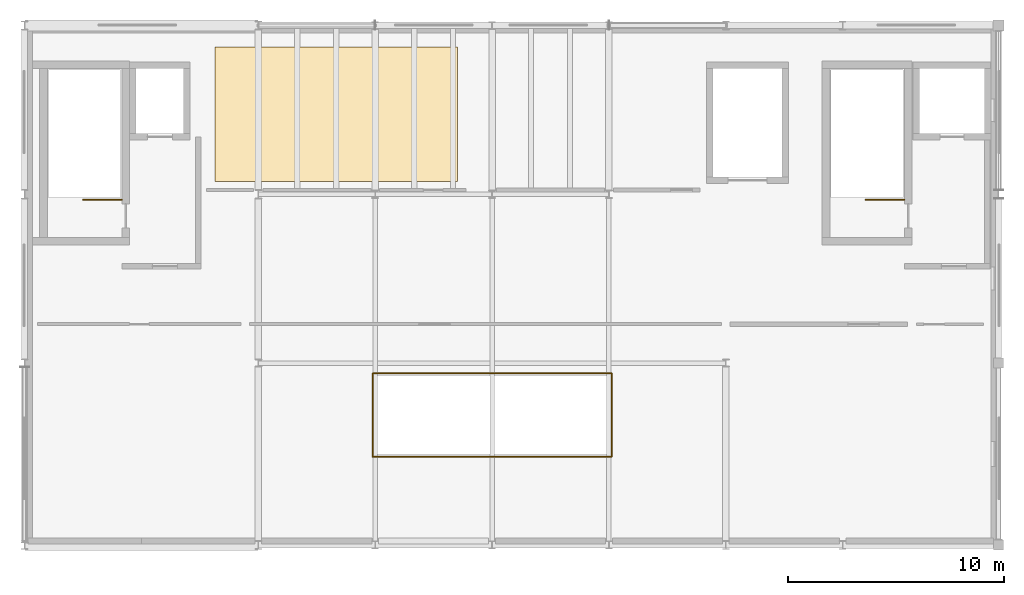
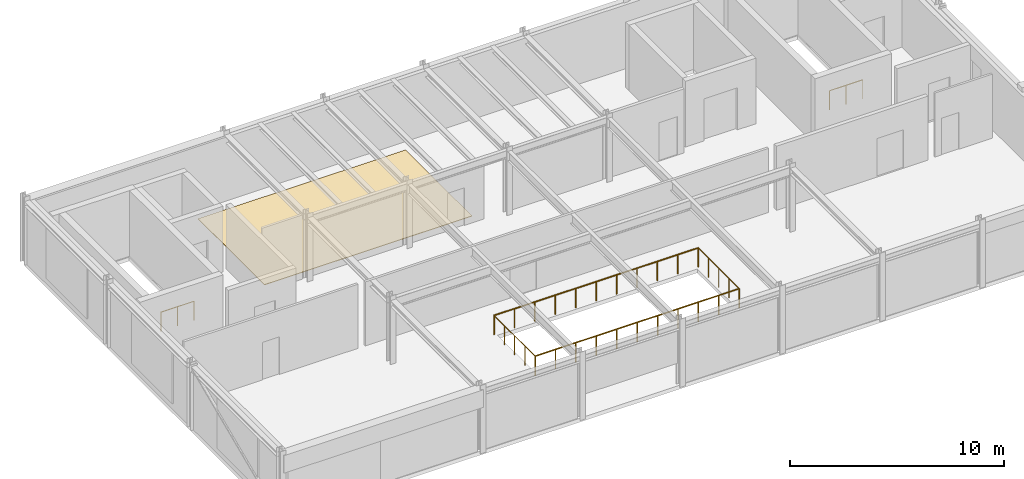
# One storey, part 8 of 8: 6 railings, 1 covering.
"""IFC4 building model written with IfcOpenShell, lengths in metres."""

from ifc_helpers import new_model, si_unit, direction, frame, origin, origin_2d, place, context, subcontext, project, spatial, polyline, circle, outline, extrude, material, layer, layer_set, material_profile, profile_set, type_object, element, save


model = new_model("IFC4")

# Units and contexts
model_context = context("Model", 3, precision=1e-05, world=origin(), true_north=direction((0.0, 1.0)))
body_context = subcontext(model_context, "Body", "Model", "MODEL_VIEW")
ifc_project = project(units=[si_unit("LENGTHUNIT", "METRE"), si_unit("AREAUNIT", "SQUARE_METRE"), si_unit("VOLUMEUNIT", "CUBIC_METRE"), si_unit("PLANEANGLEUNIT", "RADIAN"), si_unit("MASSUNIT", "GRAM", prefix="KILO")], contexts=[model_context])

# Site, building, storey
site_placement = place(None, origin())
site = spatial("IfcSite", under=ifc_project, at=site_placement, CompositionType="ELEMENT")
building_placement = place(site_placement, origin())
building = spatial("IfcBuilding", under=site, at=building_placement, Name="Tazoul Stagehouse", CompositionType="ELEMENT")
storey_placement = place(building_placement, frame((0.0, 0.0, 21.0)))
storey = spatial("IfcBuildingStorey", under=building, at=storey_placement, Name="L05", CompositionType="ELEMENT", Elevation=21.0)

# Railings
ifc_material_1 = material(Name="Brushed Stainless Steel 316L", Category="steel")
ifc_material_profile = material_profile(ifc_material_1, circle(Radius=0.02392578125, at=origin_2d()), Name="SS RAIL D48")
ifc_profile_set = profile_set([ifc_material_profile], Name="Brushed Stainless Steel 316L")
railing_type = type_object("IfcRailingType", Name="Architectural Guardrail H1120", PredefinedType="GUARDRAIL", material=ifc_profile_set)
for number, where, name in (
    (1, (98.25, 103.75, 0.0), "L05 ST-01 top well guard 1"),
    (2, (62.10009765625, 103.75, 0.0), "L05 ST-03 top well guard 1"),
):
    element("IfcRailing", number, at=place(storey_placement, frame(where)), inside=storey, type_object=railing_type, Name=name, PredefinedType="GUARDRAIL", context=body_context, shape_type="SweptSolid", body=[
        extrude(circle(Radius=0.02392578125, at=origin_2d()), frame((0.0, 0.0, 1.09619140625), z_axis=(-1.0, 0.0, 0.0), x_axis=(0.0, -1.0, 0.0)), (0.0, 0.0, 1.0), 1.800048828125),
        extrude(circle(Radius=0.02099609375, at=origin_2d()), origin(), (0.0, 0.0, 1.0), 1.072021484375),
        extrude(circle(Radius=0.02099609375, at=origin_2d()), frame((-0.89990234375, 0.0, 0.0)), (0.0, 0.0, 1.0), 1.072021484375),
        extrude(circle(Radius=0.02099609375, at=origin_2d()), frame((-1.800048828125, 0.0, 0.0)), (0.0, 0.0, 1.0), 1.072021484375),
    ])
railing_1_placement = place(storey_placement, frame((73.679931640625, 91.8798828125, 0.0)))
element("IfcRailing", 3, at=railing_1_placement, inside=storey, type_object=railing_type, Name="L05 Open-Edge Guard GRD-01 (GRD-VOID1-S1)", PredefinedType="GUARDRAIL", context=body_context, shape_type="SweptSolid", body=[
    extrude(circle(Radius=0.02392578125, at=origin_2d()), frame((0.0, 0.0, 1.09619140625), z_axis=(1.0, 0.0, 0.0), x_axis=(0.0, 1.0, 0.0)), (0.0, 0.0, 1.0), 11.0400390625),
    extrude(circle(Radius=0.02099609375, at=origin_2d()), origin(), (0.0, 0.0, 1.0), 1.072021484375),
    extrude(circle(Radius=0.02099609375, at=origin_2d()), frame((1.10400390625, 0.0, 0.0)), (0.0, 0.0, 1.0), 1.072021484375),
    extrude(circle(Radius=0.02099609375, at=origin_2d()), frame((2.2080078125, 0.0, 0.0)), (0.0, 0.0, 1.0), 1.072021484375),
    extrude(circle(Radius=0.02099609375, at=origin_2d()), frame((3.31201171875, 0.0, 0.0)), (0.0, 0.0, 1.0), 1.072021484375),
    extrude(circle(Radius=0.02099609375, at=origin_2d()), frame((4.416015625, 0.0, 0.0)), (0.0, 0.0, 1.0), 1.072021484375),
    extrude(circle(Radius=0.02099609375, at=origin_2d()), frame((5.52001953125, 0.0, 0.0)), (0.0, 0.0, 1.0), 1.072021484375),
    extrude(circle(Radius=0.02099609375, at=origin_2d()), frame((6.6240234375, 0.0, 0.0)), (0.0, 0.0, 1.0), 1.072021484375),
    extrude(circle(Radius=0.02099609375, at=origin_2d()), frame((7.72802734375, 0.0, 0.0)), (0.0, 0.0, 1.0), 1.072021484375),
    extrude(circle(Radius=0.02099609375, at=origin_2d()), frame((8.83203125, 0.0, 0.0)), (0.0, 0.0, 1.0), 1.072021484375),
    extrude(circle(Radius=0.02099609375, at=origin_2d()), frame((9.93603515625, 0.0, 0.0)), (0.0, 0.0, 1.0), 1.072021484375),
    extrude(circle(Radius=0.02099609375, at=origin_2d()), frame((11.0400390625, 0.0, 0.0)), (0.0, 0.0, 1.0), 1.072021484375),
])
railing_2_placement = place(storey_placement, frame((84.719970703125, 91.8798828125, 0.0)))
element("IfcRailing", 4, at=railing_2_placement, inside=storey, type_object=railing_type, Name="L05 Open-Edge Guard GRD-01 (GRD-VOID1-E1)", PredefinedType="GUARDRAIL", context=body_context, shape_type="SweptSolid", body=[
    extrude(circle(Radius=0.02392578125, at=origin_2d()), frame((0.0, 0.0, 1.09619140625), z_axis=(0.0, 1.0, 0.0), x_axis=(-1.0, 0.0, 0.0)), (0.0, 0.0, 1.0), 3.840087890625),
    extrude(circle(Radius=0.02099609375, at=origin_2d()), origin(), (0.0, 0.0, 1.0), 1.072021484375),
    extrude(circle(Radius=0.02099609375, at=origin_2d()), frame((0.0, 0.9599609375, 0.0)), (0.0, 0.0, 1.0), 1.072021484375),
    extrude(circle(Radius=0.02099609375, at=origin_2d()), frame((0.0, 1.919921875, 0.0)), (0.0, 0.0, 1.0), 1.072021484375),
    extrude(circle(Radius=0.02099609375, at=origin_2d()), frame((0.0, 2.880126953125, 0.0)), (0.0, 0.0, 1.0), 1.072021484375),
    extrude(circle(Radius=0.02099609375, at=origin_2d()), frame((0.0, 3.840087890625, 0.0)), (0.0, 0.0, 1.0), 1.072021484375),
])
railing_3_placement = place(storey_placement, frame((84.719970703125, 95.719970703125, 0.0)))
element("IfcRailing", 5, at=railing_3_placement, inside=storey, type_object=railing_type, Name="L05 Open-Edge Guard GRD-01 (GRD-VOID1-N1)", PredefinedType="GUARDRAIL", context=body_context, shape_type="SweptSolid", body=[
    extrude(circle(Radius=0.02392578125, at=origin_2d()), frame((0.0, 0.0, 1.09619140625), z_axis=(-1.0, 0.0, 0.0), x_axis=(0.0, -1.0, 0.0)), (0.0, 0.0, 1.0), 11.0400390625),
    extrude(circle(Radius=0.02099609375, at=origin_2d()), origin(), (0.0, 0.0, 1.0), 1.072021484375),
    extrude(circle(Radius=0.02099609375, at=origin_2d()), frame((-1.10400390625, 0.0, 0.0)), (0.0, 0.0, 1.0), 1.072021484375),
    extrude(circle(Radius=0.02099609375, at=origin_2d()), frame((-2.2080078125, 0.0, 0.0)), (0.0, 0.0, 1.0), 1.072021484375),
    extrude(circle(Radius=0.02099609375, at=origin_2d()), frame((-3.31201171875, 0.0, 0.0)), (0.0, 0.0, 1.0), 1.072021484375),
    extrude(circle(Radius=0.02099609375, at=origin_2d()), frame((-4.416015625, 0.0, 0.0)), (0.0, 0.0, 1.0), 1.072021484375),
    extrude(circle(Radius=0.02099609375, at=origin_2d()), frame((-5.52001953125, 0.0, 0.0)), (0.0, 0.0, 1.0), 1.072021484375),
    extrude(circle(Radius=0.02099609375, at=origin_2d()), frame((-6.6240234375, 0.0, 0.0)), (0.0, 0.0, 1.0), 1.072021484375),
    extrude(circle(Radius=0.02099609375, at=origin_2d()), frame((-7.72802734375, 0.0, 0.0)), (0.0, 0.0, 1.0), 1.072021484375),
    extrude(circle(Radius=0.02099609375, at=origin_2d()), frame((-8.83203125, 0.0, 0.0)), (0.0, 0.0, 1.0), 1.072021484375),
    extrude(circle(Radius=0.02099609375, at=origin_2d()), frame((-9.93603515625, 0.0, 0.0)), (0.0, 0.0, 1.0), 1.072021484375),
    extrude(circle(Radius=0.02099609375, at=origin_2d()), frame((-11.0400390625, 0.0, 0.0)), (0.0, 0.0, 1.0), 1.072021484375),
])
railing_4_placement = place(storey_placement, frame((73.679931640625, 95.719970703125, 0.0)))
element("IfcRailing", 6, at=railing_4_placement, inside=storey, type_object=railing_type, Name="L05 Open-Edge Guard GRD-01 (GRD-VOID1-W1)", PredefinedType="GUARDRAIL", context=body_context, shape_type="SweptSolid", body=[
    extrude(circle(Radius=0.02392578125, at=origin_2d()), frame((0.0, 0.0, 1.09619140625), z_axis=(0.0, -1.0, 0.0), x_axis=(1.0, 0.0, 0.0)), (0.0, 0.0, 1.0), 3.840087890625),
    extrude(circle(Radius=0.02099609375, at=origin_2d()), origin(), (0.0, 0.0, 1.0), 1.072021484375),
    extrude(circle(Radius=0.02099609375, at=origin_2d()), frame((0.0, -0.9599609375, 0.0)), (0.0, 0.0, 1.0), 1.072021484375),
    extrude(circle(Radius=0.02099609375, at=origin_2d()), frame((0.0, -1.919921875, 0.0)), (0.0, 0.0, 1.0), 1.072021484375),
    extrude(circle(Radius=0.02099609375, at=origin_2d()), frame((0.0, -2.880126953125, 0.0)), (0.0, 0.0, 1.0), 1.072021484375),
    extrude(circle(Radius=0.02099609375, at=origin_2d()), frame((0.0, -3.840087890625, 0.0)), (0.0, 0.0, 1.0), 1.072021484375),
])

# Covering
ifc_material_2 = material(Name="Honed Rabat Calcarenite Stone", Category="masonry")
ifc_layer = layer(ifc_material_2, 0.030029296875, Name="Honed Rabat Calcarenite Stone")
ifc_layer_set = layer_set([ifc_layer], Name="Honed Rabat Calcarenite Stone")
covering_type = type_object("IfcCoveringType", Name="Honed Rabat Limestone Foyer Flooring 30", PredefinedType="FLOORING", material=ifc_layer_set)
covering_placement = place(storey_placement, origin())
element("IfcCovering", 7, at=covering_placement, inside=storey, type_object=covering_type, Name="L05 Artistic Direction and Intendant Suite Flooring", PredefinedType="FLOORING", context=body_context, shape_type="SweptSolid", body=[
    extrude(outline(polyline([(77.610107421875, 110.81005859375), (77.610107421875, 104.590087890625), (66.389892578125, 104.590087890625), (66.389892578125, 110.81005859375), (77.610107421875, 110.81005859375)])), origin(), (0.0, 0.0, 1.0), 0.030029296875),
])

save(model, "model.ifc")
